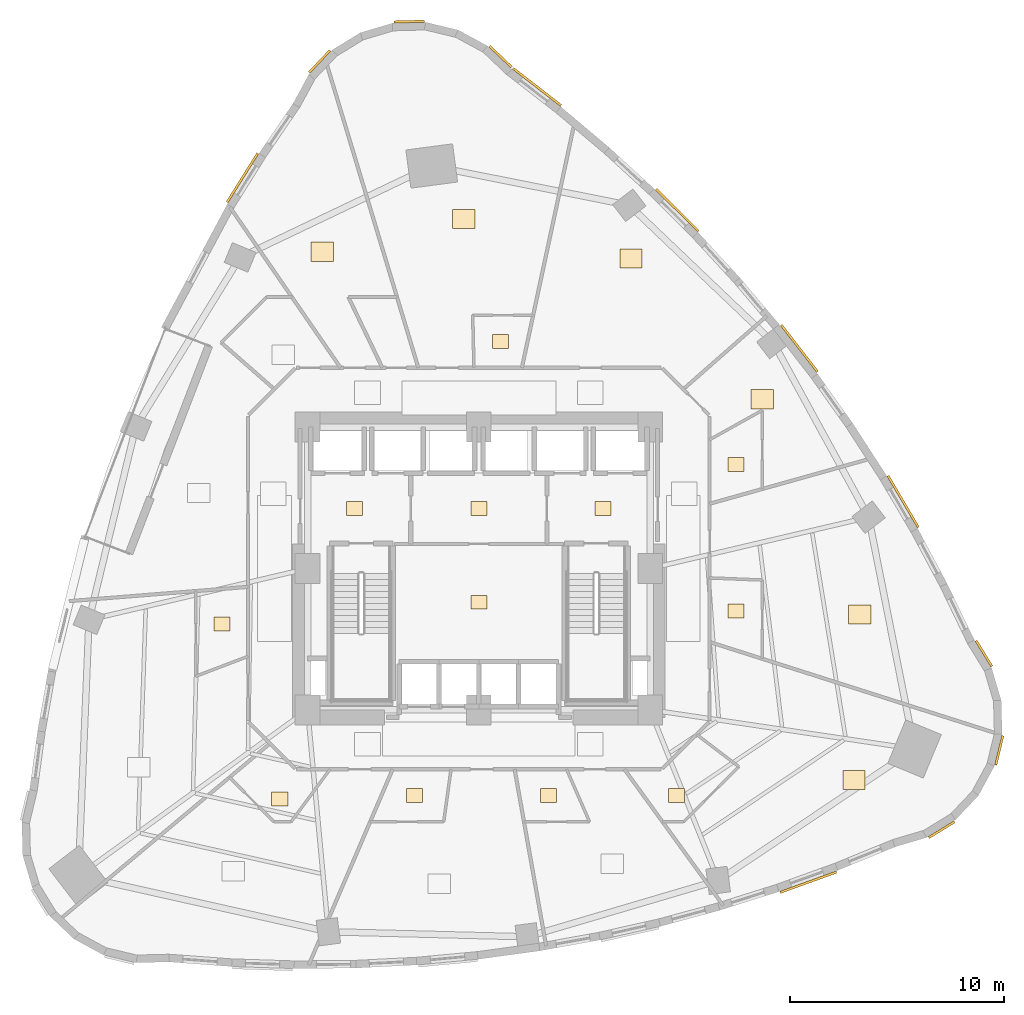
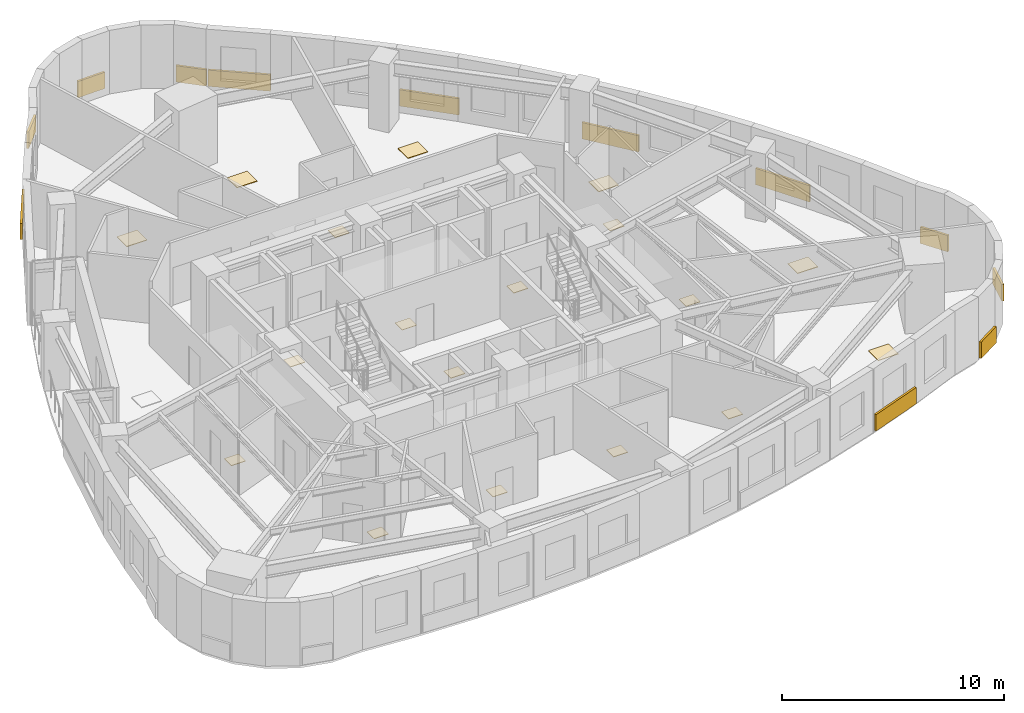
# One storey, part 12 of 12: 30 coverings.
"""IFC4 building model written with IfcOpenShell, lengths in metres."""

import ifcopenshell
import ifcopenshell.guid

model = None  # the IFC model being written
_history = None  # IfcOwnerHistory: only IFC2X3 demands one
_inside = {}  # id of a spatial element -> (the spatial element, [elements in it])
_under = {}  # id of a project, library or spatial element -> (it, [spatial elements below it])
_declared = {}  # id of a project -> (the project, [libraries it declares])
_typed = {}  # id of a type object -> (the type object, [elements of that type])
_made_of = {}  # id of a material, layer set ... -> (it, [elements and type objects made of it])


def new_model(schema):
    """Start an empty IFC model of exactly this schema.

    Asked for "IFC4X3", IfcOpenShell would pick the latest addendum, in which some entities
    have other attributes; the version numbers below select the first issue.
    IFC2X3 requires an IfcOwnerHistory on every rooted entity: one is made here for all.
    """
    global model, _history
    if schema == "IFC4X3":
        model = ifcopenshell.file(schema_version=(4, 3, 0, 0))
    else:
        model = ifcopenshell.file(schema=schema)
    _inside.clear()
    _under.clear()
    _declared.clear()
    _typed.clear()
    _made_of.clear()
    _history = None
    if model.schema == "IFC2X3":
        org = make("IfcOrganization", Name="unknown")
        user = make(
            "IfcPersonAndOrganization",
            ThePerson=make("IfcPerson", FamilyName="unknown"),
            TheOrganization=org,
        )
        app = make(
            "IfcApplication",
            ApplicationDeveloper=org,
            Version="unknown",
            ApplicationFullName="unknown",
            ApplicationIdentifier="unknown",
        )
        _history = make(
            "IfcOwnerHistory",
            OwningUser=user,
            OwningApplication=app,
            ChangeAction="ADDED",
            CreationDate=0,
        )
    return model


def make(cls, **values):
    """One entity of the class cls with the attributes given. An attribute that is None is left unset."""
    return model.create_entity(
        cls, **{name: value for name, value in values.items() if value is not None}
    )


def rooted(cls, **values):
    """An entity with a GlobalId (a new one), such as an element, a storey or a relation."""
    return make(cls, GlobalId=ifcopenshell.guid.new(), OwnerHistory=_history, **values)


def si_unit(unit_type, name, prefix=None):
    """IfcSIUnit, for example si_unit("LENGTHUNIT", "METRE", prefix="MILLI")."""
    return make("IfcSIUnit", UnitType=unit_type, Prefix=prefix, Name=name)


def assignment(units):
    """IfcUnitAssignment: the units of a project."""
    return None if units is None else make("IfcUnitAssignment", Units=units)


def point(xyz):
    """IfcCartesianPoint."""
    return None if xyz is None else make("IfcCartesianPoint", Coordinates=xyz)


def direction(xyz):
    """IfcDirection."""
    return None if xyz is None else make("IfcDirection", DirectionRatios=xyz)


def frame(location, z_axis=None, x_axis=None):
    """IfcAxis2Placement3D, a coordinate frame: its origin and axes. An axis left out is left unset."""
    return make(
        "IfcAxis2Placement3D",
        Location=point(location),
        Axis=direction(z_axis),
        RefDirection=direction(x_axis),
    )


def frame_2d(location, x_axis=None):
    """IfcAxis2Placement2D, a coordinate frame in the plane: its origin and x axis."""
    return make(
        "IfcAxis2Placement2D", Location=point(location), RefDirection=direction(x_axis)
    )


def origin():
    """The frame at (0, 0, 0) with its axes left unset."""
    return frame((0.0, 0.0, 0.0))


def origin_2d():
    """The frame at (0, 0) in the plane with its x axis left unset."""
    return frame_2d((0.0, 0.0))


def place(relative_to, where):
    """IfcLocalPlacement: puts the frame where relative to a parent placement (None: the world)."""
    return make(
        "IfcLocalPlacement", PlacementRelTo=relative_to, RelativePlacement=where
    )


def context(
    kind, dimensions, precision=None, world=None, true_north=None, identifier=None
):
    """IfcGeometricRepresentationContext, for example the 3D "Model" context."""
    return make(
        "IfcGeometricRepresentationContext",
        ContextIdentifier=identifier,
        ContextType=kind,
        CoordinateSpaceDimension=dimensions,
        Precision=precision,
        WorldCoordinateSystem=world,
        TrueNorth=true_north,
    )


def subcontext(parent, identifier, kind, view, scale=None):
    """IfcGeometricRepresentationSubContext, for example "Body" below "Model"."""
    return make(
        "IfcGeometricRepresentationSubContext",
        ContextIdentifier=identifier,
        ContextType=kind,
        ParentContext=parent,
        TargetScale=scale,
        TargetView=view,
    )


def project(units=None, contexts=None):
    """IfcProject with its units and contexts."""
    return rooted(
        "IfcProject",
        Name="project",
        RepresentationContexts=contexts,
        UnitsInContext=assignment(units),
    )


def spatial(cls, under=None, at=None, **own):
    """A site, building, storey or space (cls), placed at a placement, below another one or the project."""
    s = rooted(cls, ObjectPlacement=at, **own)
    if under is not None:
        _under.setdefault(under.id(), (under, []))[1].append(s)
    return s


def profile(cls, at=None, kind="AREA", **sizes):
    """A parametric profile (cls). Its sizes go by their IFC names, for example OverallWidth=200.0."""
    return make(cls, ProfileType=kind, Position=at, **sizes)


def rectangle(**sizes):
    """IfcRectangleProfileDef."""
    return profile("IfcRectangleProfileDef", **sizes)


def extrude(swept, where, along, depth):
    """IfcExtrudedAreaSolid: the profile swept, set in the frame where, extruded along a direction by depth."""
    return make(
        "IfcExtrudedAreaSolid",
        SweptArea=swept,
        Position=where,
        ExtrudedDirection=direction(along),
        Depth=depth,
    )


def shape(context_of_items, identifier, shape_type, items):
    """IfcShapeRepresentation: the items that make up one representation, for example the "Body"."""
    return make(
        "IfcShapeRepresentation",
        ContextOfItems=context_of_items,
        RepresentationIdentifier=identifier,
        RepresentationType=shape_type,
        Items=items,
    )


def material(Name=None, Category=None):
    """IfcMaterial."""
    return make("IfcMaterial", Name=Name, Category=Category)


def layer(
    of_material, thickness, ventilated=None, Name=None, Category=None, Priority=None
):
    """IfcMaterialLayer: one layer of a wall or slab, of a material (None: an air gap)."""
    return make(
        "IfcMaterialLayer",
        Material=of_material,
        LayerThickness=thickness,
        IsVentilated=ventilated,
        Name=Name,
        Category=Category,
        Priority=Priority,
    )


def layer_set(layers, Name=None):
    """IfcMaterialLayerSet."""
    return make("IfcMaterialLayerSet", MaterialLayers=layers, LayerSetName=Name)


def made_of(thing, what):
    """Note that an element or type object is made of a material, layer set ...; save() writes the relation."""
    if what is not None:
        _made_of.setdefault(what.id(), (what, []))[1].append(thing)
    return thing


def type_object(cls, material=None, **own):
    """A type object (cls), such as IfcWallType, which elements share."""
    return made_of(rooted(cls, **own), material)


def element(
    cls,
    number,
    at=None,
    inside=None,
    cuts=None,
    type_object=None,
    material=None,
    context=None,
    identifier="Body",
    shape_type=None,
    held_by="IfcProductDefinitionShape",
    body=None,
    shapes=None,
    **own,
):
    """One element of the class cls, such as IfcWall. Its Tag is "e" and its number.

    at: its placement. inside: the storey or other place that contains it. cuts: it is an
    opening in that element (IfcRelVoidsElement). A single representation is given by context,
    identifier, shape_type and body (its items); several are given by shapes. held_by: the class
    of the entity that holds the representations. save() writes the other relations.
    """
    e = rooted(cls, Tag="e%d" % number, ObjectPlacement=at, **own)
    if body is not None:
        shapes = [shape(context, identifier, shape_type, body)]
    if shapes is not None:
        e.Representation = make(held_by, Representations=shapes)
    if inside is not None:
        _inside.setdefault(inside.id(), (inside, []))[1].append(e)
    if cuts is not None:
        rooted(
            "IfcRelVoidsElement", RelatingBuildingElement=cuts, RelatedOpeningElement=e
        )
    if type_object is not None:
        _typed.setdefault(type_object.id(), (type_object, []))[1].append(e)
    return made_of(e, material)


def aggregate(whole, parts):
    """IfcRelAggregates: a whole, such as a stair, and the parts it consists of."""
    return rooted("IfcRelAggregates", RelatingObject=whole, RelatedObjects=parts)


def save(model, path):
    """Write the relations noted so far, then the file.

    IfcRelAggregates (storeys below a building ...), IfcRelContainedInSpatialStructure (elements
    in a storey), IfcRelDefinesByType, IfcRelAssociatesMaterial and IfcRelDeclares: one each for
    every whole, place, type object, material and project.
    """
    for whole, parts in _under.values():
        aggregate(whole, parts)
    for where, things in _inside.values():
        rooted(
            "IfcRelContainedInSpatialStructure",
            RelatedElements=things,
            RelatingStructure=where,
        )
    for kind, things in _typed.values():
        rooted("IfcRelDefinesByType", RelatedObjects=things, RelatingType=kind)
    for what, things in _made_of.values():
        rooted("IfcRelAssociatesMaterial", RelatedObjects=things, RelatingMaterial=what)
    for by, libraries in _declared.values():
        rooted("IfcRelDeclares", RelatingContext=by, RelatedDefinitions=libraries)
    model.write(path)


model = new_model("IFC4")

# Units and contexts
model_context = context("Model", 3, precision=1e-05, world=origin(), true_north=direction((0.0, 1.0)))
body_context = subcontext(model_context, "Body", "Model", "MODEL_VIEW")
ifc_project = project(units=[si_unit("LENGTHUNIT", "METRE"), si_unit("AREAUNIT", "SQUARE_METRE"), si_unit("VOLUMEUNIT", "CUBIC_METRE"), si_unit("PLANEANGLEUNIT", "RADIAN"), si_unit("MASSUNIT", "GRAM", prefix="KILO")], contexts=[model_context])

# Site, building, storey
site_placement = place(None, origin())
site = spatial("IfcSite", under=ifc_project, at=site_placement, CompositionType="ELEMENT")
building_placement = place(site_placement, origin())
building = spatial("IfcBuilding", under=site, at=building_placement, Name="Ndelora Gate Hotel", CompositionType="ELEMENT")
storey_placement = place(building_placement, frame((0.0, 0.0, 60.5)))
storey = spatial("IfcBuildingStorey", under=building, at=storey_placement, Name="L14", CompositionType="ELEMENT", Elevation=60.5)

# Coverings
ifc_material_1 = material(Name="Terracotta Fired Clay Brick Slip Cladding", Category="masonry")
ifc_layer_1 = layer(ifc_material_1, 0.110107421875)
ifc_layer_set_1 = layer_set([ifc_layer_1], Name="Terracotta Fired Clay Brick Slip Cladding")
covering_type_1 = type_object("IfcCoveringType", Name="COV-CLAD-BRK", PredefinedType="CLADDING", material=ifc_layer_set_1)
for number, where, z_axis, x_axis, name in (
    (1, (1.0205078125, 23.904541015625, 0.10009765625), (0.0, 0.0, 1.0), (-0.725374371012, 0.688354575694, 0.0), "L14 Rounded-Corner Brick Cladding Band 1"),
    (2, (-3.25537109375, 25.5458984375, 0.10009765625), (0.0, 0.0, 1.0), (0.999657324976, 0.026176948308, 0.0), "L14 Rounded-Corner Brick Cladding Band 4"),
    (3, (-7.439208984375, 23.682861328125, 0.10009765625), (0.0, 0.0, 1.0), (0.688354575694, 0.725374371012, 0.0), "L14 Rounded-Corner Brick Cladding Band 7"),
):
    element("IfcCovering", number, at=place(storey_placement, frame(where, z_axis=z_axis, x_axis=x_axis)), inside=storey, type_object=covering_type_1, Name=name, PredefinedType="CLADDING", context=body_context, shape_type="SweptSolid", body=[
        extrude(rectangle(XDim=1.4140625, YDim=0.110107421875, at=origin_2d()), origin(), (0.0, 0.0, 1.0), 0.89990234375),
    ])
covering_1_placement = place(storey_placement, frame((-11.041259765625, 18.250732421875, 0.10009765625), z_axis=(0.0, 0.0, 1.0), x_axis=(0.530363228518, 0.847770514843, 0.0)))
element("IfcCovering", 4, at=covering_1_placement, inside=storey, type_object=covering_type_1, Name="L14 Rounded-Corner Brick Cladding Band 10", PredefinedType="CLADDING", context=body_context, shape_type="SweptSolid", body=[
    extrude(rectangle(XDim=2.696044921875, YDim=0.110107421875, at=origin_2d()), origin(), (0.0, 0.0, 1.0), 0.89990234375),
])
covering_2_placement = place(storey_placement, frame((15.391357421875, -14.6533203125, 0.10009765625), z_axis=(0.0, 0.0, 1.0), x_axis=(0.940347520127, 0.340215433792, 0.0)))
element("IfcCovering", 5, at=covering_2_placement, inside=storey, type_object=covering_type_1, Name="L14 Rounded-Corner Brick Cladding Band 37", PredefinedType="CLADDING", context=body_context, shape_type="SweptSolid", body=[
    extrude(rectangle(XDim=2.81103515625, YDim=0.110107421875, at=origin_2d()), origin(), (0.0, 0.0, 1.0), 0.89990234375),
])
for number, where, z_axis, x_axis, name in (
    (6, (21.618896484375, -12.20068359375, 0.10009765625), (0.0, 0.0, 1.0), (0.852640164354, 0.522498564716, 0.0), "L14 Rounded-Corner Brick Cladding Band 40"),
    (7, (24.310791015625, -8.495361328125, 0.10009765625), (0.0, 0.0, 1.0), (0.233445363856, 0.972369920398, 0.0), "L14 Rounded-Corner Brick Cladding Band 43"),
    (8, (23.594482421875, -3.971923828125, 0.10009765625), (0.0, 0.0, 1.0), (-0.522498564716, 0.852640164354, 0.0), "L14 Rounded-Corner Brick Cladding Band 46"),
):
    element("IfcCovering", number, at=place(storey_placement, frame(where, z_axis=z_axis, x_axis=x_axis)), inside=storey, type_object=covering_type_1, Name=name, PredefinedType="CLADDING", context=body_context, shape_type="SweptSolid", body=[
        extrude(rectangle(XDim=1.4140625, YDim=0.110107421875, at=origin_2d()), origin(), (0.0, 0.0, 1.0), 0.89990234375),
    ])
covering_3_placement = place(storey_placement, frame((19.81884765625, 3.128662109375, 0.10009765625), z_axis=(0.0, 0.0, 1.0), x_axis=(-0.507387972573, 0.861717729473, 0.0)))
element("IfcCovering", 9, at=covering_3_placement, inside=storey, type_object=covering_type_1, Name="L14 Rounded-Corner Brick Cladding Band 49", PredefinedType="CLADDING", context=body_context, shape_type="SweptSolid", body=[
    extrude(rectangle(XDim=2.791015625, YDim=0.110107421875, at=origin_2d()), origin(), (0.0, 0.0, 1.0), 0.89990234375),
])
covering_4_placement = place(storey_placement, frame((14.974365234375, 10.2802734375, 0.10009765625), z_axis=(0.0, 0.0, 1.0), x_axis=(-0.612631200187, 0.790368909154, 0.0)))
element("IfcCovering", 10, at=covering_4_placement, inside=storey, type_object=covering_type_1, Name="L14 Rounded-Corner Brick Cladding Band 52", PredefinedType="CLADDING", context=body_context, shape_type="SweptSolid", body=[
    extrude(rectangle(XDim=2.760009765625, YDim=0.110107421875, at=origin_2d()), origin(), (0.0, 0.0, 1.0), 0.89990234375),
])
covering_5_placement = place(storey_placement, frame((9.27197265625, 16.7373046875, 0.10009765625), z_axis=(0.0, 0.0, 1.0), x_axis=(-0.708339837725, 0.705871570679, 0.0)))
element("IfcCovering", 11, at=covering_5_placement, inside=storey, type_object=covering_type_1, Name="L14 Rounded-Corner Brick Cladding Band 55", PredefinedType="CLADDING", context=body_context, shape_type="SweptSolid", body=[
    extrude(rectangle(XDim=2.77490234375, YDim=0.110107421875, at=origin_2d()), origin(), (0.0, 0.0, 1.0), 0.89990234375),
])
covering_6_placement = place(storey_placement, frame((2.712646484375, 22.499267578125, 0.10009765625), z_axis=(0.0, 0.0, 1.0), x_axis=(-0.790475821431, 0.612493245459, 0.0)))
element("IfcCovering", 12, at=covering_6_placement, inside=storey, type_object=covering_type_1, Name="L14 Rounded-Corner Brick Cladding Band 58", PredefinedType="CLADDING", context=body_context, shape_type="SweptSolid", body=[
    extrude(rectangle(XDim=2.8369140625, YDim=0.110107421875, at=origin_2d()), origin(), (0.0, 0.0, 1.0), 0.89990234375),
])
ifc_material_2 = material(Name="Engineered Highland Oak Parquet", Category="wood")
ifc_layer_2 = layer(ifc_material_2, 0.030029296875)
ifc_layer_set_2 = layer_set([ifc_layer_2], Name="Engineered Highland Oak Parquet")
covering_type_2 = type_object("IfcCoveringType", Name="COV-FLR-PARQ", PredefinedType="FLOORING", material=ifc_layer_set_2)
for number, where, z_axis, x_axis, name in (
    (13, (17.523681640625, -9.88330078125, 0.0), (0.0, 0.0, 1.0), (1.0, 0.0, 0.0), "L14 Deluxe King Junior Suite 1705 Oak Parquet Flooring"),
    (14, (17.798095703125, -2.143798828125, 0.0), (0.0, 0.0, 1.0), (1.0, 0.0, 0.0), "L14 Corner Diplomatic Suite 1706 Oak Parquet Flooring"),
    (15, (13.243896484375, 7.900146484375, 0.0), (0.0, 0.0, 1.0), (1.0, 0.0, 0.0), "L14 Twin Guest Room 1707 Oak Parquet Flooring"),
    (16, (7.107177734375, 14.476806640625, 0.0), (0.0, 0.0, 1.0), (1.0, 0.0, 0.0), "L14 Executive Meeting Room Oak Parquet Flooring"),
    (17, (-0.708984375, 16.326904296875, 0.0), (0.0, 0.0, 1.0), (1.0, 0.0, 0.0), "L14 Deluxe King Junior Suite 1708 Oak Parquet Flooring"),
    (18, (-7.3232421875, 14.798095703125, 0.0), (0.0, 0.0, 1.0), (1.0, 0.0, 0.0), "L14 Housekeeping and Linen Room Oak Parquet Flooring"),
):
    element("IfcCovering", number, at=place(storey_placement, frame(where, z_axis=z_axis, x_axis=x_axis)), inside=storey, type_object=covering_type_2, Name=name, PredefinedType="FLOORING", context=body_context, shape_type="SweptSolid", body=[
        extrude(rectangle(XDim=1.050048828125, YDim=0.89990234375, at=origin_2d()), origin(), (0.0, 0.0, 1.0), 0.030029296875),
    ])
ifc_material_3 = material(Name="Non-Slip Porcelain Wet-Room Tile", Category="ceramic")
ifc_layer_3 = layer(ifc_material_3, 0.02490234375)
ifc_layer_set_3 = layer_set([ifc_layer_3], Name="Non-Slip Porcelain Wet-Room Tile")
covering_type_3 = type_object("IfcCoveringType", Name="COV-FLR-TILE", PredefinedType="FLOORING", material=ifc_layer_set_3)
for number, where, z_axis, x_axis, name in (
    (19, (-5.800048828125, 2.800048828125, 0.0), (0.0, 0.0, 1.0), (1.0, 0.0, 0.0), "L14 Firefighting Lift Lobby West Porcelain Tile Flooring"),
    (20, (5.800048828125, 2.800048828125, 0.0), (0.0, 0.0, 1.0), (1.0, 0.0, 0.0), "L14 Firefighting Lift Lobby East Porcelain Tile Flooring"),
    (21, (0.0, 2.800048828125, 0.0), (0.0, 0.0, 1.0), (1.0, 0.0, 0.0), "L14 Central Passenger Lift Lobby Porcelain Tile Flooring"),
    (22, (0.0, -1.574951171875, 0.0), (0.0, 0.0, 1.0), (1.0, 0.0, 0.0), "L14 Core Electrical and Linen Service Store Porcelain Tile Flooring"),
    (23, (-12.0048828125, -2.58349609375, 0.0), (0.0, 0.0, 1.0), (1.0, 0.0, 0.0), "L14 En-suite Bathroom 1701 Porcelain Tile Flooring"),
    (24, (-9.2998046875, -10.772705078125, 0.0), (0.0, 0.0, 1.0), (1.0, 0.0, 0.0), "L14 En-suite Bathroom 1702 Porcelain Tile Flooring"),
    (25, (-3.00830078125, -10.60498046875, 0.0), (0.0, 0.0, 1.0), (1.0, 0.0, 0.0), "L14 En-suite Bathroom 1703 Porcelain Tile Flooring"),
    (26, (3.261962890625, -10.60498046875, 0.0), (0.0, 0.0, 1.0), (1.0, 0.0, 0.0), "L14 En-suite Bathroom 1704 Porcelain Tile Flooring"),
    (27, (9.23681640625, -10.60498046875, 0.0), (0.0, 0.0, 1.0), (1.0, 0.0, 0.0), "L14 En-suite Bathroom 1705 Porcelain Tile Flooring"),
    (28, (12.0048828125, -1.99072265625, 0.0), (0.0, 0.0, 1.0), (1.0, 0.0, 0.0), "L14 En-suite Bathroom 1706 Porcelain Tile Flooring"),
    (29, (12.0048828125, 4.866943359375, 0.0), (0.0, 0.0, 1.0), (1.0, 0.0, 0.0), "L14 En-suite Bathroom 1707 Porcelain Tile Flooring"),
    (30, (1.0087890625, 10.60498046875, 0.0), (0.0, 0.0, 1.0), (1.0, 0.0, 0.0), "L14 En-suite Bathroom 1708 Porcelain Tile Flooring"),
):
    element("IfcCovering", number, at=place(storey_placement, frame(where, z_axis=z_axis, x_axis=x_axis)), inside=storey, type_object=covering_type_3, Name=name, PredefinedType="FLOORING", context=body_context, shape_type="SweptSolid", body=[
        extrude(rectangle(XDim=0.75, YDim=0.64990234375, at=origin_2d()), origin(), (0.0, 0.0, 1.0), 0.02490234375),
    ])

save(model, "model.ifc")
